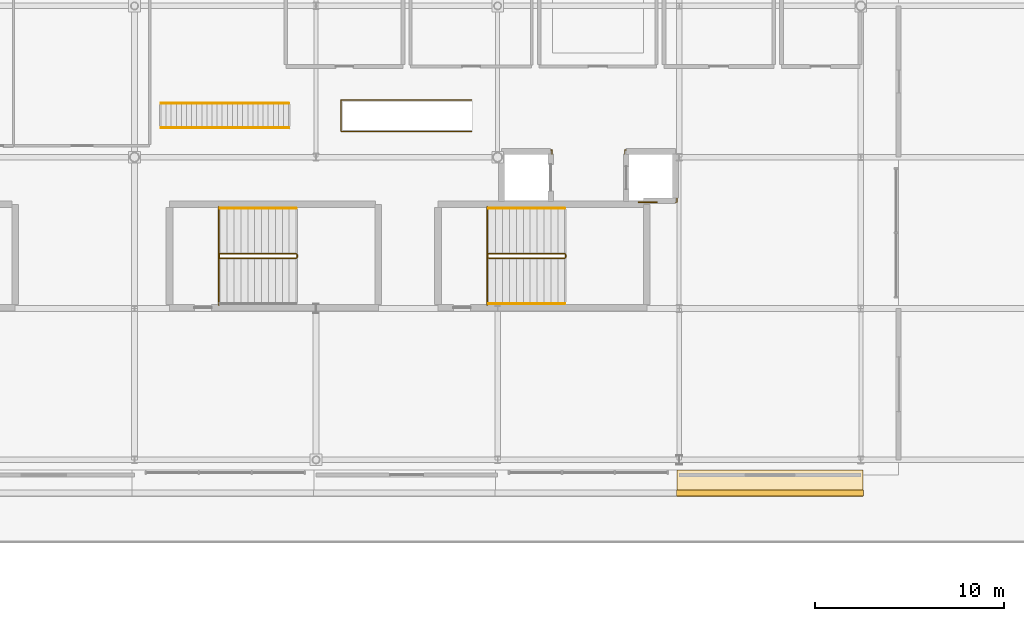
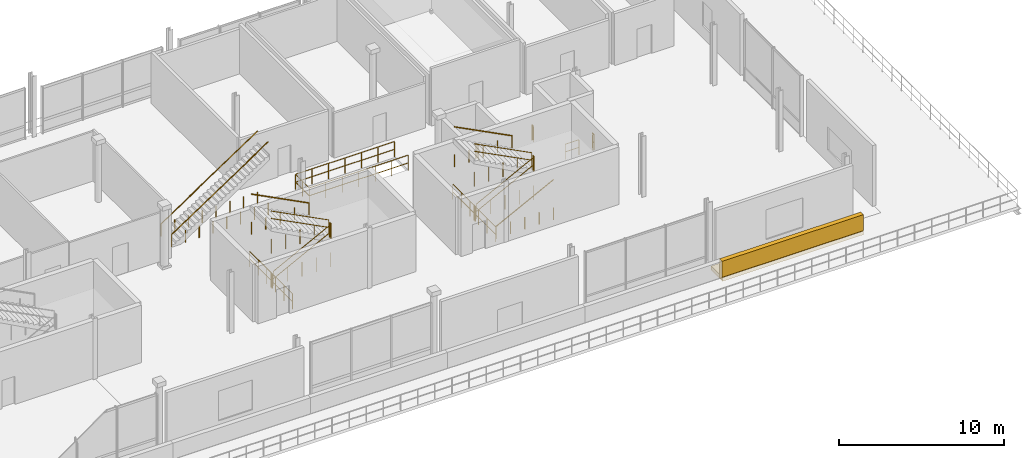
# One storey, part 34 of 36: 20 railings, 2 coverings.
"""IFC4 building model written with IfcOpenShell, lengths in metres."""

from ifc_helpers import new_model, si_unit, direction, frame, origin, origin_2d, place, context, subcontext, project, spatial, rectangle, circle, extrude, material, layer, layer_set, type_object, element, save


model = new_model("IFC4")

# Units and contexts
model_context = context("Model", 3, precision=1e-05, world=origin(), true_north=direction((0.0, 1.0)))
body_context = subcontext(model_context, "Body", "Model", "MODEL_VIEW")
ifc_project = project(units=[si_unit("LENGTHUNIT", "METRE"), si_unit("AREAUNIT", "SQUARE_METRE"), si_unit("VOLUMEUNIT", "CUBIC_METRE"), si_unit("PLANEANGLEUNIT", "RADIAN"), si_unit("MASSUNIT", "GRAM", prefix="KILO")], contexts=[model_context])

# Site, building, storey
site_placement = place(None, origin())
site = spatial("IfcSite", under=ifc_project, at=site_placement, CompositionType="ELEMENT")
building_placement = place(site_placement, origin())
building = spatial("IfcBuilding", under=site, at=building_placement, Name="Danafjord Basin Convention Centre", CompositionType="ELEMENT")
storey_placement = place(building_placement, frame((0.0, 0.0, 20.39990234375)))
storey = spatial("IfcBuildingStorey", under=building, at=storey_placement, Name="L04", CompositionType="ELEMENT", Elevation=20.39990234375)

# Coverings
ifc_material_1 = material(Name="Architectural white precast concrete C45/55", Category="concrete")
ifc_layer = layer(ifc_material_1, 0.320068359375)
ifc_layer_set = layer_set([ifc_layer], Name="Architectural white precast concrete C45/55")
covering_type = type_object("IfcCoveringType", Name="COV-BAND-HORIZ", PredefinedType="CLADDING", material=ifc_layer_set)
covering_1_placement = place(storey_placement, frame((100.800048828125, 6.75, -0.27978515625), z_axis=(0.0, 0.0, 1.0), x_axis=(1.0, 0.0, 0.0)))
element("IfcCovering", 1, at=covering_1_placement, inside=storey, type_object=covering_type, Name="L04 stepped horizontal band soffit plate 47", PredefinedType="CLADDING", context=body_context, shape_type="SweptSolid", body=[
    extrude(rectangle(XDim=9.840087890625, YDim=1.39990234375, at=origin_2d()), origin(), (0.0, 0.0, 1.0), 0.280029296875),
])
covering_2_placement = place(storey_placement, frame((100.800048828125, 6.239990234375, -0.23974609375), z_axis=(0.0, 0.0, 1.0), x_axis=(1.0, 0.0, 0.0)))
element("IfcCovering", 2, at=covering_2_placement, inside=storey, type_object=covering_type, Name="L04 layered horizontal white spandrel band 47", PredefinedType="CLADDING", context=body_context, shape_type="SweptSolid", body=[
    extrude(rectangle(XDim=9.8798828125, YDim=0.320068359375, at=origin_2d()), origin(), (0.0, 0.0, 1.0), 1.419921875),
])

# Railings
ifc_material_2 = material(Name="Laminated structural glass and stainless steel", Category="steel")
railing_type_1 = type_object("IfcRailingType", Name="RL-BAL-GLS", PredefinedType="BALUSTRADE", material=ifc_material_2)
railing_1_placement = place(storey_placement, frame((93.85009765625, 21.6201171875, 0.0)))
element("IfcRailing", 3, at=railing_1_placement, inside=storey, type_object=railing_type_1, Name="L04 safety guard balustrade 294", PredefinedType="BALUSTRADE", context=body_context, shape_type="SweptSolid", body=[
    extrude(circle(Radius=0.02392578125, at=origin_2d()), frame((0.0, 0.0, 1.1259765625), z_axis=(1.0, 0.0, 0.0), x_axis=(0.0, 1.0, 0.0)), (0.0, 0.0, 1.0), 0.969970703125),
    extrude(circle(Radius=0.02392578125, at=origin_2d()), frame((0.0, 0.0, 0.55078125), z_axis=(1.0, 0.0, 0.0), x_axis=(0.0, 1.0, 0.0)), (0.0, 0.0, 1.0), 0.969970703125),
    extrude(circle(Radius=0.02099609375, at=origin_2d()), origin(), (0.0, 0.0, 1.0), 1.099853515625),
    extrude(circle(Radius=0.02099609375, at=origin_2d()), frame((0.969970703125, 0.0, 0.0)), (0.0, 0.0, 1.0), 1.099853515625),
])
railing_2_placement = place(storey_placement, frame((85.85009765625, 21.375, 0.0)))
element("IfcRailing", 4, at=railing_2_placement, inside=storey, type_object=railing_type_1, Name="L04 safety guard balustrade 296", PredefinedType="BALUSTRADE", context=body_context, shape_type="SweptSolid", body=[
    extrude(circle(Radius=0.02392578125, at=origin_2d()), frame((0.0, 0.0, 1.1259765625), z_axis=(0.0, -1.0, 0.0), x_axis=(1.0, 0.0, 0.0)), (0.0, 0.0, 1.0), 5.18994140625),
    extrude(circle(Radius=0.02392578125, at=origin_2d()), frame((0.0, 0.0, 0.55078125), z_axis=(0.0, -1.0, 0.0), x_axis=(1.0, 0.0, 0.0)), (0.0, 0.0, 1.0), 5.18994140625),
    extrude(circle(Radius=0.02099609375, at=origin_2d()), origin(), (0.0, 0.0, 1.0), 1.099853515625),
    extrude(circle(Radius=0.02099609375, at=origin_2d()), frame((0.0, -1.0380859375, 0.0)), (0.0, 0.0, 1.0), 1.099853515625),
    extrude(circle(Radius=0.02099609375, at=origin_2d()), frame((0.0, -2.075927734375, 0.0)), (0.0, 0.0, 1.0), 1.099853515625),
    extrude(circle(Radius=0.02099609375, at=origin_2d()), frame((0.0, -3.114013671875, 0.0)), (0.0, 0.0, 1.0), 1.099853515625),
    extrude(circle(Radius=0.02099609375, at=origin_2d()), frame((0.0, -4.15185546875, 0.0)), (0.0, 0.0, 1.0), 1.099853515625),
    extrude(circle(Radius=0.02099609375, at=origin_2d()), frame((0.0, -5.18994140625, 0.0)), (0.0, 0.0, 1.0), 1.099853515625),
])
railing_3_placement = place(storey_placement, frame((85.034912109375, 27.030029296875, 0.0)))
element("IfcRailing", 5, at=railing_3_placement, inside=storey, type_object=railing_type_1, Name="L04 safety guard balustrade 298", PredefinedType="BALUSTRADE", context=body_context, shape_type="SweptSolid", body=[
    extrude(circle(Radius=0.02392578125, at=origin_2d()), frame((0.0, 0.0, 1.1259765625), z_axis=(-1.0, 0.0, 0.0), x_axis=(0.0, -1.0, 0.0)), (0.0, 0.0, 1.0), 6.914794921875),
    extrude(circle(Radius=0.02392578125, at=origin_2d()), frame((0.0, 0.0, 0.55078125), z_axis=(-1.0, 0.0, 0.0), x_axis=(0.0, -1.0, 0.0)), (0.0, 0.0, 1.0), 6.914794921875),
    extrude(circle(Radius=0.02392578125, at=origin_2d()), frame((-6.914794921875, 0.0, 1.1259765625), z_axis=(0.0, -1.0, 0.0), x_axis=(1.0, 0.0, 0.0)), (0.0, 0.0, 1.0), 1.659912109375),
    extrude(circle(Radius=0.02392578125, at=origin_2d()), frame((-6.914794921875, 0.0, 0.55078125), z_axis=(0.0, -1.0, 0.0), x_axis=(1.0, 0.0, 0.0)), (0.0, 0.0, 1.0), 1.659912109375),
    extrude(circle(Radius=0.02392578125, at=origin_2d()), frame((-6.914794921875, -1.659912109375, 1.1259765625), z_axis=(1.0, 0.0, 0.0), x_axis=(0.0, 1.0, 0.0)), (0.0, 0.0, 1.0), 6.914794921875),
    extrude(circle(Radius=0.02392578125, at=origin_2d()), frame((-6.914794921875, -1.659912109375, 0.55078125), z_axis=(1.0, 0.0, 0.0), x_axis=(0.0, 1.0, 0.0)), (0.0, 0.0, 1.0), 6.914794921875),
    extrude(circle(Radius=0.02099609375, at=origin_2d()), origin(), (0.0, 0.0, 1.0), 1.099853515625),
    extrude(circle(Radius=0.02099609375, at=origin_2d()), frame((-1.15234375, 0.0, 0.0)), (0.0, 0.0, 1.0), 1.099853515625),
    extrude(circle(Radius=0.02099609375, at=origin_2d()), frame((-2.304931640625, 0.0, 0.0)), (0.0, 0.0, 1.0), 1.099853515625),
    extrude(circle(Radius=0.02099609375, at=origin_2d()), frame((-3.45751953125, 0.0, 0.0)), (0.0, 0.0, 1.0), 1.099853515625),
    extrude(circle(Radius=0.02099609375, at=origin_2d()), frame((-4.60986328125, 0.0, 0.0)), (0.0, 0.0, 1.0), 1.099853515625),
    extrude(circle(Radius=0.02099609375, at=origin_2d()), frame((-5.76220703125, 0.0, 0.0)), (0.0, 0.0, 1.0), 1.099853515625),
    extrude(circle(Radius=0.02099609375, at=origin_2d()), frame((-6.914794921875, 0.0, 0.0)), (0.0, 0.0, 1.0), 1.099853515625),
    extrude(circle(Radius=0.02099609375, at=origin_2d()), frame((-6.914794921875, -0.830078125, 0.0)), (0.0, 0.0, 1.0), 1.099853515625),
    extrude(circle(Radius=0.02099609375, at=origin_2d()), frame((-6.914794921875, -1.659912109375, 0.0)), (0.0, 0.0, 1.0), 1.099853515625),
    extrude(circle(Radius=0.02099609375, at=origin_2d()), frame((-5.76220703125, -1.659912109375, 0.0)), (0.0, 0.0, 1.0), 1.099853515625),
    extrude(circle(Radius=0.02099609375, at=origin_2d()), frame((-4.60986328125, -1.659912109375, 0.0)), (0.0, 0.0, 1.0), 1.099853515625),
    extrude(circle(Radius=0.02099609375, at=origin_2d()), frame((-3.45751953125, -1.659912109375, 0.0)), (0.0, 0.0, 1.0), 1.099853515625),
    extrude(circle(Radius=0.02099609375, at=origin_2d()), frame((-2.304931640625, -1.659912109375, 0.0)), (0.0, 0.0, 1.0), 1.099853515625),
    extrude(circle(Radius=0.02099609375, at=origin_2d()), frame((-1.15234375, -1.659912109375, 0.0)), (0.0, 0.0, 1.0), 1.099853515625),
    extrude(circle(Radius=0.02099609375, at=origin_2d()), frame((0.0, -1.659912109375, 0.0)), (0.0, 0.0, 1.0), 1.099853515625),
])
ifc_material_3 = material(Name="Galvanised and powder-coated steel S355", Category="steel")
railing_type_2 = type_object("IfcRailingType", Name="RL-BAL-STL", PredefinedType="BALUSTRADE", material=ifc_material_3)
railing_4_placement = place(storey_placement, frame((93.199951171875, 24.3798828125, 0.0)))
element("IfcRailing", 6, at=railing_4_placement, inside=storey, type_object=railing_type_2, Name="L04 safety guard balustrade 293", PredefinedType="BALUSTRADE", context=body_context, shape_type="SweptSolid", body=[
    extrude(circle(Radius=0.02392578125, at=origin_2d()), frame((0.0, 0.0, 1.1259765625), z_axis=(-1.0, 0.0, 0.0), x_axis=(0.0, -1.0, 0.0)), (0.0, 0.0, 1.0), 0.079833984375),
    extrude(circle(Radius=0.02392578125, at=origin_2d()), frame((0.0, 0.0, 0.55078125), z_axis=(-1.0, 0.0, 0.0), x_axis=(0.0, -1.0, 0.0)), (0.0, 0.0, 1.0), 0.079833984375),
    extrude(circle(Radius=0.02392578125, at=origin_2d()), frame((-0.079833984375, 0.0, 1.1259765625), z_axis=(0.0, -1.0, 0.0), x_axis=(1.0, 0.0, 0.0)), (0.0, 0.0, 1.0), 0.21484375),
    extrude(circle(Radius=0.02392578125, at=origin_2d()), frame((-0.079833984375, 0.0, 0.55078125), z_axis=(0.0, -1.0, 0.0), x_axis=(1.0, 0.0, 0.0)), (0.0, 0.0, 1.0), 0.21484375),
    extrude(circle(Radius=0.02099609375, at=origin_2d()), origin(), (0.0, 0.0, 1.0), 1.099853515625),
    extrude(circle(Radius=0.02099609375, at=origin_2d()), frame((-0.079833984375, 0.0, 0.0)), (0.0, 0.0, 1.0), 1.099853515625),
    extrude(circle(Radius=0.02099609375, at=origin_2d()), frame((-0.079833984375, -0.21484375, 0.0)), (0.0, 0.0, 1.0), 1.099853515625),
])
railing_5_placement = place(storey_placement, frame((95.800048828125, 21.6201171875, 0.0)))
element("IfcRailing", 7, at=railing_5_placement, inside=storey, type_object=railing_type_2, Name="L04 safety guard balustrade 295", PredefinedType="BALUSTRADE", context=body_context, shape_type="SweptSolid", body=[
    extrude(circle(Radius=0.02392578125, at=origin_2d()), frame((0.0, 0.0, 1.1259765625), z_axis=(1.0, 0.0, 0.0), x_axis=(0.0, 1.0, 0.0)), (0.0, 0.0, 1.0), 0.079833984375),
    extrude(circle(Radius=0.02392578125, at=origin_2d()), frame((0.0, 0.0, 0.55078125), z_axis=(1.0, 0.0, 0.0), x_axis=(0.0, 1.0, 0.0)), (0.0, 0.0, 1.0), 0.079833984375),
    extrude(circle(Radius=0.02392578125, at=origin_2d()), frame((0.079833984375, 0.0, 1.1259765625), z_axis=(0.0, 1.0, 0.0), x_axis=(-1.0, 0.0, 0.0)), (0.0, 0.0, 1.0), 0.21484375),
    extrude(circle(Radius=0.02392578125, at=origin_2d()), frame((0.079833984375, 0.0, 0.55078125), z_axis=(0.0, 1.0, 0.0), x_axis=(-1.0, 0.0, 0.0)), (0.0, 0.0, 1.0), 0.21484375),
    extrude(circle(Radius=0.02099609375, at=origin_2d()), origin(), (0.0, 0.0, 1.0), 1.099853515625),
    extrude(circle(Radius=0.02099609375, at=origin_2d()), frame((0.079833984375, 0.0, 0.0)), (0.0, 0.0, 1.0), 1.099853515625),
    extrude(circle(Radius=0.02099609375, at=origin_2d()), frame((0.079833984375, 0.21484375, 0.0)), (0.0, 0.0, 1.0), 1.099853515625),
])
railing_6_placement = place(storey_placement, frame((89.280029296875, 24.1650390625, 0.0)))
element("IfcRailing", 8, at=railing_6_placement, inside=storey, type_object=railing_type_2, Name="L04 safety guard balustrade 297", PredefinedType="BALUSTRADE", context=body_context, shape_type="SweptSolid", body=[
    extrude(circle(Radius=0.02392578125, at=origin_2d()), frame((0.0, 0.0, 1.1259765625), z_axis=(0.0, 1.0, 0.0), x_axis=(-1.0, 0.0, 0.0)), (0.0, 0.0, 1.0), 0.21484375),
    extrude(circle(Radius=0.02392578125, at=origin_2d()), frame((0.0, 0.0, 0.55078125), z_axis=(0.0, 1.0, 0.0), x_axis=(-1.0, 0.0, 0.0)), (0.0, 0.0, 1.0), 0.21484375),
    extrude(circle(Radius=0.02392578125, at=origin_2d()), frame((0.0, 0.21484375, 1.1259765625), z_axis=(-1.0, 0.0, 0.0), x_axis=(0.0, -1.0, 0.0)), (0.0, 0.0, 1.0), 0.080078125),
    extrude(circle(Radius=0.02392578125, at=origin_2d()), frame((0.0, 0.21484375, 0.55078125), z_axis=(-1.0, 0.0, 0.0), x_axis=(0.0, -1.0, 0.0)), (0.0, 0.0, 1.0), 0.080078125),
    extrude(circle(Radius=0.02099609375, at=origin_2d()), origin(), (0.0, 0.0, 1.0), 1.099853515625),
    extrude(circle(Radius=0.02099609375, at=origin_2d()), frame((0.0, 0.21484375, 0.0)), (0.0, 0.0, 1.0), 1.099853515625),
    extrude(circle(Radius=0.02099609375, at=origin_2d()), frame((-0.080078125, 0.21484375, 0.0)), (0.0, 0.0, 1.0), 1.099853515625),
])
railing_7_placement = place(storey_placement, frame((71.64990234375, 21.375, 0.0)))
element("IfcRailing", 9, at=railing_7_placement, inside=storey, type_object=railing_type_2, Name="L04 safety guard balustrade 299", PredefinedType="BALUSTRADE", context=body_context, shape_type="SweptSolid", body=[
    extrude(circle(Radius=0.02392578125, at=origin_2d()), frame((0.0, 0.0, 1.1259765625), z_axis=(0.0, -1.0, 0.0), x_axis=(1.0, 0.0, 0.0)), (0.0, 0.0, 1.0), 5.18994140625),
    extrude(circle(Radius=0.02392578125, at=origin_2d()), frame((0.0, 0.0, 0.55078125), z_axis=(0.0, -1.0, 0.0), x_axis=(1.0, 0.0, 0.0)), (0.0, 0.0, 1.0), 5.18994140625),
    extrude(circle(Radius=0.02099609375, at=origin_2d()), origin(), (0.0, 0.0, 1.0), 1.099853515625),
    extrude(circle(Radius=0.02099609375, at=origin_2d()), frame((0.0, -1.0380859375, 0.0)), (0.0, 0.0, 1.0), 1.099853515625),
    extrude(circle(Radius=0.02099609375, at=origin_2d()), frame((0.0, -2.075927734375, 0.0)), (0.0, 0.0, 1.0), 1.099853515625),
    extrude(circle(Radius=0.02099609375, at=origin_2d()), frame((0.0, -3.114013671875, 0.0)), (0.0, 0.0, 1.0), 1.099853515625),
    extrude(circle(Radius=0.02099609375, at=origin_2d()), frame((0.0, -4.15185546875, 0.0)), (0.0, 0.0, 1.0), 1.099853515625),
    extrude(circle(Radius=0.02099609375, at=origin_2d()), frame((0.0, -5.18994140625, 0.0)), (0.0, 0.0, 1.0), 1.099853515625),
])
ifc_material_4 = material(Name="Galvanised steel S355", Category="steel")
railing_type_3 = type_object("IfcRailingType", Name="RL-GD-WELL", PredefinedType="BALUSTRADE", material=ifc_material_4)
railing_8_placement = place(storey_placement, frame((85.929931640625, 18.659912109375, 0.1875)))
element("IfcRailing", 10, at=railing_8_placement, inside=storey, type_object=railing_type_3, Name="L04 ST-03 stair guard 1", PredefinedType="BALUSTRADE", context=body_context, shape_type="SweptSolid", body=[
    extrude(circle(Radius=0.02392578125, at=origin_2d()), frame((0.0, 0.0, 1.076171875), z_axis=(0.889506420944, 0.0, 0.45692267081), x_axis=(0.0, 1.0, 0.0)), (0.0, 0.0, 1.0), 4.513916015625),
    extrude(circle(Radius=0.02392578125, at=origin_2d()), frame((0.0, 0.0, 0.52587890625), z_axis=(0.889506420944, 0.0, 0.45692267081), x_axis=(0.0, 1.0, 0.0)), (0.0, 0.0, 1.0), 4.513916015625),
    extrude(circle(Radius=0.02099609375, at=origin_2d()), origin(), (0.0, 0.0, 1.0), 1.050048828125),
    extrude(circle(Radius=0.02099609375, at=origin_2d()), frame((1.00390625, 0.0, 0.0)), (0.0, 0.0, 1.0), 1.050048828125),
    extrude(circle(Radius=0.02099609375, at=origin_2d()), frame((2.007568359375, 0.0, 0.0)), (0.0, 0.0, 1.0), 1.050048828125),
    extrude(circle(Radius=0.02099609375, at=origin_2d()), frame((3.01123046875, 0.0, 0.0)), (0.0, 0.0, 1.0), 1.050048828125),
    extrude(circle(Radius=0.02099609375, at=origin_2d()), frame((4.01513671875, 0.0, 0.0)), (0.0, 0.0, 1.0), 1.050048828125),
])
railing_9_placement = place(storey_placement, frame((89.9951171875, 18.7099609375, 2.25)))
element("IfcRailing", 11, at=railing_9_placement, inside=storey, type_object=railing_type_3, Name="L04 ST-03 stair guard 2", PredefinedType="BALUSTRADE", context=body_context, shape_type="SweptSolid", body=[
    extrude(circle(Radius=0.02392578125, at=origin_2d()), frame((0.0, 0.0, 1.076171875), z_axis=(0.0, 1.0, 0.0), x_axis=(-1.0, 0.0, 0.0)), (0.0, 0.0, 1.0), 0.14013671875),
    extrude(circle(Radius=0.02392578125, at=origin_2d()), frame((0.0, 0.0, 0.52587890625), z_axis=(0.0, 1.0, 0.0), x_axis=(-1.0, 0.0, 0.0)), (0.0, 0.0, 1.0), 0.14013671875),
    extrude(circle(Radius=0.02099609375, at=origin_2d()), origin(), (0.0, 0.0, 1.0), 1.050048828125),
    extrude(circle(Radius=0.02099609375, at=origin_2d()), frame((0.0, 0.14013671875, 0.0)), (0.0, 0.0, 1.0), 1.050048828125),
])
railing_10_placement = place(storey_placement, frame((89.945068359375, 18.89990234375, 2.4375)))
element("IfcRailing", 12, at=railing_10_placement, inside=storey, type_object=railing_type_3, Name="L04 ST-03 stair guard 3", PredefinedType="BALUSTRADE", context=body_context, shape_type="SweptSolid", body=[
    extrude(circle(Radius=0.02392578125, at=origin_2d()), frame((0.0, 0.0, 1.076171875), z_axis=(-0.889506420944, 0.0, 0.45692267081), x_axis=(0.0, -1.0, 0.0)), (0.0, 0.0, 1.0), 4.513916015625),
    extrude(circle(Radius=0.02392578125, at=origin_2d()), frame((0.0, 0.0, 0.52587890625), z_axis=(-0.889506420944, 0.0, 0.45692267081), x_axis=(0.0, -1.0, 0.0)), (0.0, 0.0, 1.0), 4.513916015625),
    extrude(circle(Radius=0.02099609375, at=origin_2d()), origin(), (0.0, 0.0, 1.0), 1.050048828125),
    extrude(circle(Radius=0.02099609375, at=origin_2d()), frame((-1.00390625, 0.0, 0.0)), (0.0, 0.0, 1.0), 1.050048828125),
    extrude(circle(Radius=0.02099609375, at=origin_2d()), frame((-2.007568359375, 0.0, 0.0)), (0.0, 0.0, 1.0), 1.050048828125),
    extrude(circle(Radius=0.02099609375, at=origin_2d()), frame((-3.01123046875, 0.0, 0.0)), (0.0, 0.0, 1.0), 1.050048828125),
    extrude(circle(Radius=0.02099609375, at=origin_2d()), frame((-4.01513671875, 0.0, 0.0)), (0.0, 0.0, 1.0), 1.050048828125),
])
railing_11_placement = place(storey_placement, frame((85.8798828125, 18.7099609375, 0.0)))
element("IfcRailing", 13, at=railing_11_placement, inside=storey, type_object=railing_type_3, Name="L04 ST-03 stair guard 4", PredefinedType="BALUSTRADE", context=body_context, shape_type="SweptSolid", body=[
    extrude(circle(Radius=0.02392578125, at=origin_2d()), frame((0.0, 0.0, 1.076171875), z_axis=(0.0, 1.0, 0.0), x_axis=(-1.0, 0.0, 0.0)), (0.0, 0.0, 1.0), 0.14013671875),
    extrude(circle(Radius=0.02392578125, at=origin_2d()), frame((0.0, 0.0, 0.52587890625), z_axis=(0.0, 1.0, 0.0), x_axis=(-1.0, 0.0, 0.0)), (0.0, 0.0, 1.0), 0.14013671875),
    extrude(circle(Radius=0.02099609375, at=origin_2d()), origin(), (0.0, 0.0, 1.0), 1.050048828125),
    extrude(circle(Radius=0.02099609375, at=origin_2d()), frame((0.0, 0.14013671875, 0.0)), (0.0, 0.0, 1.0), 1.050048828125),
])
railing_12_placement = place(storey_placement, frame((71.72998046875, 18.659912109375, 0.1875)))
element("IfcRailing", 14, at=railing_12_placement, inside=storey, type_object=railing_type_3, Name="L04 ST-06 stair guard 1", PredefinedType="BALUSTRADE", context=body_context, shape_type="SweptSolid", body=[
    extrude(circle(Radius=0.02392578125, at=origin_2d()), frame((0.0, 0.0, 1.076171875), z_axis=(0.889506420944, 0.0, 0.45692267081), x_axis=(0.0, 1.0, 0.0)), (0.0, 0.0, 1.0), 4.513916015625),
    extrude(circle(Radius=0.02392578125, at=origin_2d()), frame((0.0, 0.0, 0.52587890625), z_axis=(0.889506420944, 0.0, 0.45692267081), x_axis=(0.0, 1.0, 0.0)), (0.0, 0.0, 1.0), 4.513916015625),
    extrude(circle(Radius=0.02099609375, at=origin_2d()), origin(), (0.0, 0.0, 1.0), 1.050048828125),
    extrude(circle(Radius=0.02099609375, at=origin_2d()), frame((1.00390625, 0.0, 0.0)), (0.0, 0.0, 1.0), 1.050048828125),
    extrude(circle(Radius=0.02099609375, at=origin_2d()), frame((2.007568359375, 0.0, 0.0)), (0.0, 0.0, 1.0), 1.050048828125),
    extrude(circle(Radius=0.02099609375, at=origin_2d()), frame((3.01123046875, 0.0, 0.0)), (0.0, 0.0, 1.0), 1.050048828125),
    extrude(circle(Radius=0.02099609375, at=origin_2d()), frame((4.01513671875, 0.0, 0.0)), (0.0, 0.0, 1.0), 1.050048828125),
])
railing_13_placement = place(storey_placement, frame((75.794921875, 18.7099609375, 2.25)))
element("IfcRailing", 15, at=railing_13_placement, inside=storey, type_object=railing_type_3, Name="L04 ST-06 stair guard 2", PredefinedType="BALUSTRADE", context=body_context, shape_type="SweptSolid", body=[
    extrude(circle(Radius=0.02392578125, at=origin_2d()), frame((0.0, 0.0, 1.076171875), z_axis=(0.0, 1.0, 0.0), x_axis=(-1.0, 0.0, 0.0)), (0.0, 0.0, 1.0), 0.14013671875),
    extrude(circle(Radius=0.02392578125, at=origin_2d()), frame((0.0, 0.0, 0.52587890625), z_axis=(0.0, 1.0, 0.0), x_axis=(-1.0, 0.0, 0.0)), (0.0, 0.0, 1.0), 0.14013671875),
    extrude(circle(Radius=0.02099609375, at=origin_2d()), origin(), (0.0, 0.0, 1.0), 1.050048828125),
    extrude(circle(Radius=0.02099609375, at=origin_2d()), frame((0.0, 0.14013671875, 0.0)), (0.0, 0.0, 1.0), 1.050048828125),
])
railing_14_placement = place(storey_placement, frame((75.7451171875, 18.89990234375, 2.4375)))
element("IfcRailing", 16, at=railing_14_placement, inside=storey, type_object=railing_type_3, Name="L04 ST-06 stair guard 3", PredefinedType="BALUSTRADE", context=body_context, shape_type="SweptSolid", body=[
    extrude(circle(Radius=0.02392578125, at=origin_2d()), frame((0.0, 0.0, 1.076171875), z_axis=(-0.889506420944, 0.0, 0.45692267081), x_axis=(0.0, -1.0, 0.0)), (0.0, 0.0, 1.0), 4.513916015625),
    extrude(circle(Radius=0.02392578125, at=origin_2d()), frame((0.0, 0.0, 0.52587890625), z_axis=(-0.889506420944, 0.0, 0.45692267081), x_axis=(0.0, -1.0, 0.0)), (0.0, 0.0, 1.0), 4.513916015625),
    extrude(circle(Radius=0.02099609375, at=origin_2d()), origin(), (0.0, 0.0, 1.0), 1.050048828125),
    extrude(circle(Radius=0.02099609375, at=origin_2d()), frame((-1.00390625, 0.0, 0.0)), (0.0, 0.0, 1.0), 1.050048828125),
    extrude(circle(Radius=0.02099609375, at=origin_2d()), frame((-2.007568359375, 0.0, 0.0)), (0.0, 0.0, 1.0), 1.050048828125),
    extrude(circle(Radius=0.02099609375, at=origin_2d()), frame((-3.01123046875, 0.0, 0.0)), (0.0, 0.0, 1.0), 1.050048828125),
    extrude(circle(Radius=0.02099609375, at=origin_2d()), frame((-4.01513671875, 0.0, 0.0)), (0.0, 0.0, 1.0), 1.050048828125),
])
railing_15_placement = place(storey_placement, frame((71.679931640625, 18.7099609375, 0.0)))
element("IfcRailing", 17, at=railing_15_placement, inside=storey, type_object=railing_type_3, Name="L04 ST-06 stair guard 4", PredefinedType="BALUSTRADE", context=body_context, shape_type="SweptSolid", body=[
    extrude(circle(Radius=0.02392578125, at=origin_2d()), frame((0.0, 0.0, 1.076171875), z_axis=(0.0, 1.0, 0.0), x_axis=(-1.0, 0.0, 0.0)), (0.0, 0.0, 1.0), 0.14013671875),
    extrude(circle(Radius=0.02392578125, at=origin_2d()), frame((0.0, 0.0, 0.52587890625), z_axis=(0.0, 1.0, 0.0), x_axis=(-1.0, 0.0, 0.0)), (0.0, 0.0, 1.0), 0.14013671875),
    extrude(circle(Radius=0.02099609375, at=origin_2d()), origin(), (0.0, 0.0, 1.0), 1.050048828125),
    extrude(circle(Radius=0.02099609375, at=origin_2d()), frame((0.0, 0.14013671875, 0.0)), (0.0, 0.0, 1.0), 1.050048828125),
])
ifc_material_5 = material(Name="Brushed stainless steel EN 1.4404", Category="steel")
railing_type_4 = type_object("IfcRailingType", Name="RL-HR-STAIR", PredefinedType="HANDRAIL", material=ifc_material_5)
railing_16_placement = place(storey_placement, frame((85.929931640625, 16.260009765625, 0.1875)))
element("IfcRailing", 18, at=railing_16_placement, inside=storey, type_object=railing_type_4, Name="L04 ST-03 stair handrail 1", PredefinedType="HANDRAIL", context=body_context, shape_type="SweptSolid", body=[
    extrude(circle(Radius=0.02392578125, at=origin_2d()), frame((0.0, 0.0, 0.8759765625), z_axis=(0.889506420944, 0.0, 0.45692267081), x_axis=(0.0, 1.0, 0.0)), (0.0, 0.0, 1.0), 4.513916015625),
    extrude(circle(Radius=0.02099609375, at=origin_2d()), origin(), (0.0, 0.0, 1.0), 0.849853515625),
    extrude(circle(Radius=0.02099609375, at=origin_2d()), frame((1.00390625, 0.0, 0.0)), (0.0, 0.0, 1.0), 0.849853515625),
    extrude(circle(Radius=0.02099609375, at=origin_2d()), frame((2.007568359375, 0.0, 0.0)), (0.0, 0.0, 1.0), 0.849853515625),
    extrude(circle(Radius=0.02099609375, at=origin_2d()), frame((3.01123046875, 0.0, 0.0)), (0.0, 0.0, 1.0), 0.849853515625),
    extrude(circle(Radius=0.02099609375, at=origin_2d()), frame((4.01513671875, 0.0, 0.0)), (0.0, 0.0, 1.0), 0.849853515625),
])
for number, where, name in (
    (19, (89.945068359375, 21.300048828125, 2.4375), "L04 ST-03 stair handrail 2"),
    (20, (75.7451171875, 21.300048828125, 2.4375), "L04 ST-06 stair handrail 2"),
):
    element("IfcRailing", number, at=place(storey_placement, frame(where)), inside=storey, type_object=railing_type_4, Name=name, PredefinedType="HANDRAIL", context=body_context, shape_type="SweptSolid", body=[
        extrude(circle(Radius=0.02392578125, at=origin_2d()), frame((0.0, 0.0, 0.8759765625), z_axis=(-0.889506420944, 0.0, 0.45692267081), x_axis=(0.0, -1.0, 0.0)), (0.0, 0.0, 1.0), 4.513916015625),
        extrude(circle(Radius=0.02099609375, at=origin_2d()), origin(), (0.0, 0.0, 1.0), 0.849853515625),
        extrude(circle(Radius=0.02099609375, at=origin_2d()), frame((-1.00390625, 0.0, 0.0)), (0.0, 0.0, 1.0), 0.849853515625),
        extrude(circle(Radius=0.02099609375, at=origin_2d()), frame((-2.007568359375, 0.0, 0.0)), (0.0, 0.0, 1.0), 0.849853515625),
        extrude(circle(Radius=0.02099609375, at=origin_2d()), frame((-3.01123046875, 0.0, 0.0)), (0.0, 0.0, 1.0), 0.849853515625),
        extrude(circle(Radius=0.02099609375, at=origin_2d()), frame((-4.01513671875, 0.0, 0.0)), (0.0, 0.0, 1.0), 0.849853515625),
    ])
for number, where, name in (
    (21, (68.60009765625, 26.85009765625, 0.0), "Step-2 to Step-3 East Sky Stair handrail L"),
    (22, (68.60009765625, 25.550048828125, 0.0), "Step-2 to Step-3 East Sky Stair handrail R"),
):
    element("IfcRailing", number, at=place(storey_placement, frame(where)), inside=storey, type_object=railing_type_4, Name=name, PredefinedType="HANDRAIL", context=body_context, shape_type="SweptSolid", body=[
        extrude(circle(Radius=0.02392578125, at=origin_2d()), frame((0.0, 0.0, 0.89599609375), z_axis=(0.832050294338, 0.0, 0.554700196225), x_axis=(0.0, 1.0, 0.0)), (0.0, 0.0, 1.0), 8.112548828125),
        extrude(circle(Radius=0.02099609375, at=origin_2d()), origin(), (0.0, 0.0, 1.0), 0.869873046875),
        extrude(circle(Radius=0.02099609375, at=origin_2d()), frame((0.96435546875, 0.0, 0.0)), (0.0, 0.0, 1.0), 0.869873046875),
        extrude(circle(Radius=0.02099609375, at=origin_2d()), frame((1.928466796875, 0.0, 0.0)), (0.0, 0.0, 1.0), 0.869873046875),
        extrude(circle(Radius=0.02099609375, at=origin_2d()), frame((2.892822265625, 0.0, 0.0)), (0.0, 0.0, 1.0), 0.869873046875),
        extrude(circle(Radius=0.02099609375, at=origin_2d()), frame((3.857177734375, 0.0, 0.0)), (0.0, 0.0, 1.0), 0.869873046875),
        extrude(circle(Radius=0.02099609375, at=origin_2d()), frame((4.821533203125, 0.0, 0.0)), (0.0, 0.0, 1.0), 0.869873046875),
        extrude(circle(Radius=0.02099609375, at=origin_2d()), frame((5.78564453125, 0.0, 0.0)), (0.0, 0.0, 1.0), 0.869873046875),
        extrude(circle(Radius=0.02099609375, at=origin_2d()), frame((6.75, 0.0, 0.0)), (0.0, 0.0, 1.0), 0.869873046875),
    ])

save(model, "model.ifc")
